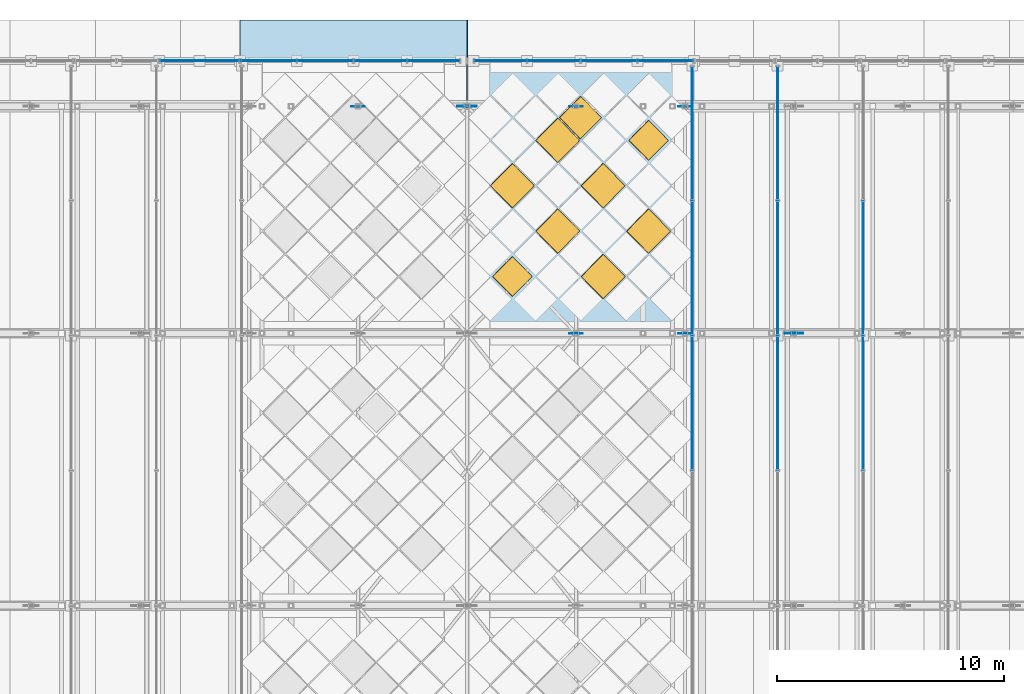
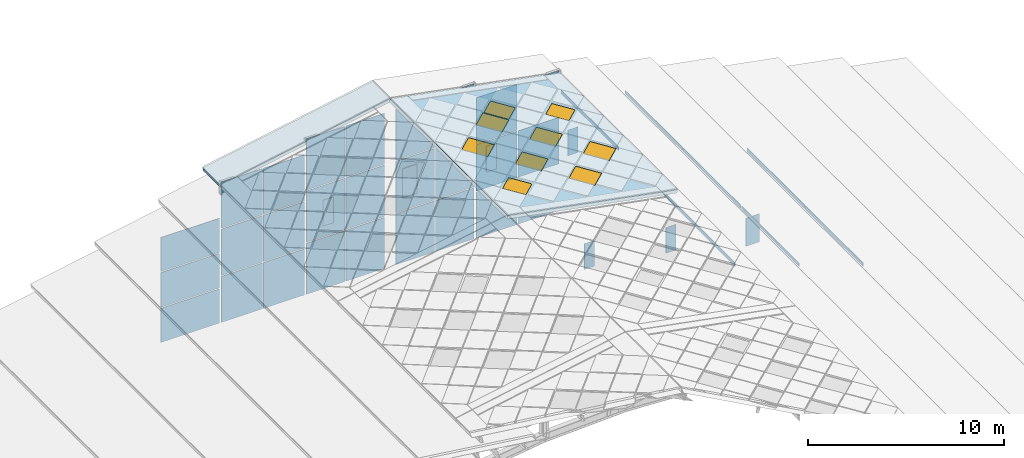
# One storey, part 98 of 117: 42 plates, 9 windows, 2 slabs, 9 openings, 8 elements without a shape of their own.
"""IFC4 building model written with IfcOpenShell, lengths in metres."""

from ifc_helpers import new_model, si_unit, direction, frame, origin, origin_2d, place, context, subcontext, project, spatial, polyline, rectangle, outline, extrude, material, layer, layer_set, type_object, element, fill, aggregate, save


model = new_model("IFC4")

# Units and contexts
model_context = context("Model", 3, precision=1e-05, world=origin(), true_north=direction((0.0, 1.0)))
body_context = subcontext(model_context, "Body", "Model", "MODEL_VIEW")
ifc_project = project(units=[si_unit("LENGTHUNIT", "METRE"), si_unit("AREAUNIT", "SQUARE_METRE"), si_unit("VOLUMEUNIT", "CUBIC_METRE"), si_unit("PLANEANGLEUNIT", "RADIAN"), si_unit("MASSUNIT", "GRAM", prefix="KILO")], contexts=[model_context])

# Site, building, storey
site_placement = place(None, origin())
site = spatial("IfcSite", under=ifc_project, at=site_placement, CompositionType="ELEMENT")
building_placement = place(site_placement, origin())
building = spatial("IfcBuilding", under=site, at=building_placement, Name="Merenkruunu Market Hall", CompositionType="ELEMENT")
storey_placement = place(building_placement, frame((0.0, 0.0, 22.800048828125)))
storey = spatial("IfcBuildingStorey", under=building, at=storey_placement, Name="RF", CompositionType="ELEMENT", Elevation=22.800048828125)

# Curtain wall, plates
ifc_material_1 = material(Name="Powder-coated aluminium", Category="aluminium")
curtain_wall_type_1 = type_object("IfcCurtainWallType", Name="Glazed Curtain Wall CW18", PredefinedType="USERDEFINED", material=ifc_material_1)
curtain_wall_1_placement = place(storey_placement, origin())
curtain_wall_1 = element("IfcCurtainWall", 1, at=curtain_wall_1_placement, inside=storey, type_object=curtain_wall_type_1, Name="CW-RF-CWM03-071", ObjectType="GLAZED_FACADE", PredefinedType="USERDEFINED")
ifc_material_2 = material(Name="Triple low-E insulated glass", Category="glass")
ifc_layer_1 = layer(ifc_material_2, 0.035888671875)
ifc_layer_set_1 = layer_set([ifc_layer_1], Name="Triple low-E insulated glass")
plate_type_1 = type_object("IfcPlateType", Name="Curtain Wall Glazing Panel CWP05", PredefinedType="CURTAIN_PANEL", material=ifc_layer_set_1)
plate_1_placement = place(storey_placement, frame((17.02001953125, 111.60009765625, -8.630126953125), z_axis=(0.0, 0.0, 1.0), x_axis=(1.0, 0.0, 0.0)))
plate_1 = element("IfcPlate", 2, at=plate_1_placement, type_object=plate_type_1, Name="CW18 panel 1.1", PredefinedType="CURTAIN_PANEL", context=body_context, shape_type="SweptSolid", body=[
    extrude(rectangle(XDim=3.43994140625, YDim=0.035888671875, at=origin_2d()), origin(), (0.0, 0.0, 1.0), 2.126953125),
])
plate_2_placement = place(storey_placement, frame((17.02001953125, 111.60009765625, -6.44287109375), z_axis=(0.0, 0.0, 1.0), x_axis=(1.0, 0.0, 0.0)))
plate_2 = element("IfcPlate", 3, at=plate_2_placement, type_object=plate_type_1, Name="CW18 panel 1.2", PredefinedType="CURTAIN_PANEL", context=body_context, shape_type="SweptSolid", body=[
    extrude(rectangle(XDim=3.43994140625, YDim=0.035888671875, at=origin_2d()), origin(), (0.0, 0.0, 1.0), 2.156005859375),
])
plate_3_placement = place(storey_placement, frame((17.02001953125, 111.60009765625, -4.22705078125), z_axis=(0.0, 0.0, 1.0), x_axis=(1.0, 0.0, 0.0)))
plate_3 = element("IfcPlate", 4, at=plate_3_placement, type_object=plate_type_1, Name="CW18 panel 1.3", PredefinedType="CURTAIN_PANEL", context=body_context, shape_type="SweptSolid", body=[
    extrude(rectangle(XDim=3.43994140625, YDim=0.035888671875, at=origin_2d()), origin(), (0.0, 0.0, 1.0), 2.126953125),
])
aggregate(curtain_wall_1, [plate_1, plate_2, plate_3])

curtain_wall_2_placement = place(storey_placement, origin())
curtain_wall_2 = element("IfcCurtainWall", 5, at=curtain_wall_2_placement, inside=storey, type_object=curtain_wall_type_1, Name="CW-RF-CWM03-072", ObjectType="GLAZED_FACADE", PredefinedType="USERDEFINED")
plate_4_placement = place(storey_placement, frame((20.06494140625, 111.60009765625, -8.630126953125), z_axis=(0.0, 0.0, 1.0), x_axis=(1.0, 0.0, 0.0)))
plate_4 = element("IfcPlate", 6, at=plate_4_placement, type_object=plate_type_1, Name="CW18 panel 1.1", PredefinedType="CURTAIN_PANEL", context=body_context, shape_type="SweptSolid", body=[
    extrude(rectangle(XDim=2.409912109375, YDim=0.035888671875, at=origin_2d()), origin(), (0.0, 0.0, 1.0), 2.85693359375),
])
plate_5_placement = place(storey_placement, frame((20.06494140625, 111.60009765625, -5.712890625), z_axis=(0.0, 0.0, 1.0), x_axis=(1.0, 0.0, 0.0)))
plate_5 = element("IfcPlate", 7, at=plate_5_placement, type_object=plate_type_1, Name="CW18 panel 1.2", PredefinedType="CURTAIN_PANEL", context=body_context, shape_type="SweptSolid", body=[
    extrude(rectangle(XDim=2.409912109375, YDim=0.035888671875, at=origin_2d()), origin(), (0.0, 0.0, 1.0), 2.885986328125),
])
plate_6_placement = place(storey_placement, frame((20.06494140625, 111.60009765625, -2.76708984375), z_axis=(0.0, 0.0, 1.0), x_axis=(1.0, 0.0, 0.0)))
plate_6 = element("IfcPlate", 8, at=plate_6_placement, type_object=plate_type_1, Name="CW18 panel 1.3", PredefinedType="CURTAIN_PANEL", context=body_context, shape_type="SweptSolid", body=[
    extrude(rectangle(XDim=2.409912109375, YDim=0.035888671875, at=origin_2d()), origin(), (0.0, 0.0, 1.0), 2.85693359375),
])
plate_7_placement = place(storey_placement, frame((22.534912109375, 111.60009765625, -8.630126953125), z_axis=(0.0, 0.0, 1.0), x_axis=(1.0, 0.0, 0.0)))
plate_7 = element("IfcPlate", 9, at=plate_7_placement, type_object=plate_type_1, Name="CW18 panel 2.1", PredefinedType="CURTAIN_PANEL", context=body_context, shape_type="SweptSolid", body=[
    extrude(rectangle(XDim=2.409912109375, YDim=0.035888671875, at=origin_2d()), origin(), (0.0, 0.0, 1.0), 2.85693359375),
])
plate_8_placement = place(storey_placement, frame((22.534912109375, 111.60009765625, -5.712890625), z_axis=(0.0, 0.0, 1.0), x_axis=(1.0, 0.0, 0.0)))
plate_8 = element("IfcPlate", 10, at=plate_8_placement, type_object=plate_type_1, Name="CW18 panel 2.2", PredefinedType="CURTAIN_PANEL", context=body_context, shape_type="SweptSolid", body=[
    extrude(rectangle(XDim=2.409912109375, YDim=0.035888671875, at=origin_2d()), origin(), (0.0, 0.0, 1.0), 2.885986328125),
])
plate_9_placement = place(storey_placement, frame((22.534912109375, 111.60009765625, -2.76708984375), z_axis=(0.0, 0.0, 1.0), x_axis=(1.0, 0.0, 0.0)))
plate_9 = element("IfcPlate", 11, at=plate_9_placement, type_object=plate_type_1, Name="CW18 panel 2.3", PredefinedType="CURTAIN_PANEL", context=body_context, shape_type="SweptSolid", body=[
    extrude(rectangle(XDim=2.409912109375, YDim=0.035888671875, at=origin_2d()), origin(), (0.0, 0.0, 1.0), 2.85693359375),
])
aggregate(curtain_wall_2, [plate_4, plate_5, plate_6, plate_7, plate_8, plate_9])

curtain_wall_3_placement = place(storey_placement, origin())
curtain_wall_3 = element("IfcCurtainWall", 12, at=curtain_wall_3_placement, inside=storey, type_object=curtain_wall_type_1, Name="CW-RF-CWM03-073", ObjectType="GLAZED_FACADE", PredefinedType="USERDEFINED")
plate_10_placement = place(storey_placement, frame((24.9951171875, 111.60009765625, -8.630126953125), z_axis=(0.0, 0.0, 1.0), x_axis=(1.0, 0.0, 0.0)))
plate_10 = element("IfcPlate", 13, at=plate_10_placement, type_object=plate_type_1, Name="CW18 panel 1.1", PredefinedType="CURTAIN_PANEL", context=body_context, shape_type="SweptSolid", body=[
    extrude(rectangle(XDim=2.27001953125, YDim=0.035888671875, at=origin_2d()), origin(), (0.0, 0.0, 1.0), 3.1669921875),
])
plate_11_placement = place(storey_placement, frame((24.9951171875, 111.60009765625, -5.40283203125), z_axis=(0.0, 0.0, 1.0), x_axis=(1.0, 0.0, 0.0)))
plate_11 = element("IfcPlate", 14, at=plate_11_placement, type_object=plate_type_1, Name="CW18 panel 1.2", PredefinedType="CURTAIN_PANEL", context=body_context, shape_type="SweptSolid", body=[
    extrude(rectangle(XDim=2.27001953125, YDim=0.035888671875, at=origin_2d()), origin(), (0.0, 0.0, 1.0), 3.196044921875),
])
plate_12_placement = place(storey_placement, frame((24.9951171875, 111.60009765625, -2.14697265625), z_axis=(0.0, 0.0, 1.0), x_axis=(1.0, 0.0, 0.0)))
plate_12 = element("IfcPlate", 15, at=plate_12_placement, type_object=plate_type_1, Name="CW18 panel 1.3", PredefinedType="CURTAIN_PANEL", context=body_context, shape_type="SweptSolid", body=[
    extrude(rectangle(XDim=2.27001953125, YDim=0.035888671875, at=origin_2d()), origin(), (0.0, 0.0, 1.0), 3.1669921875),
])
plate_13_placement = place(storey_placement, frame((27.324951171875, 111.60009765625, -8.630126953125), z_axis=(0.0, 0.0, 1.0), x_axis=(1.0, 0.0, 0.0)))
plate_13 = element("IfcPlate", 16, at=plate_13_placement, type_object=plate_type_1, Name="CW18 panel 2.1", PredefinedType="CURTAIN_PANEL", context=body_context, shape_type="SweptSolid", body=[
    extrude(rectangle(XDim=2.27001953125, YDim=0.035888671875, at=origin_2d()), origin(), (0.0, 0.0, 1.0), 3.1669921875),
])
plate_14_placement = place(storey_placement, frame((27.324951171875, 111.60009765625, -5.40283203125), z_axis=(0.0, 0.0, 1.0), x_axis=(1.0, 0.0, 0.0)))
plate_14 = element("IfcPlate", 17, at=plate_14_placement, type_object=plate_type_1, Name="CW18 panel 2.2", PredefinedType="CURTAIN_PANEL", context=body_context, shape_type="SweptSolid", body=[
    extrude(rectangle(XDim=2.27001953125, YDim=0.035888671875, at=origin_2d()), origin(), (0.0, 0.0, 1.0), 3.196044921875),
])
plate_15_placement = place(storey_placement, frame((27.324951171875, 111.60009765625, -2.14697265625), z_axis=(0.0, 0.0, 1.0), x_axis=(1.0, 0.0, 0.0)))
plate_15 = element("IfcPlate", 18, at=plate_15_placement, type_object=plate_type_1, Name="CW18 panel 2.3", PredefinedType="CURTAIN_PANEL", context=body_context, shape_type="SweptSolid", body=[
    extrude(rectangle(XDim=2.27001953125, YDim=0.035888671875, at=origin_2d()), origin(), (0.0, 0.0, 1.0), 3.1669921875),
])
aggregate(curtain_wall_3, [plate_10, plate_11, plate_12, plate_13, plate_14, plate_15])

curtain_wall_4_placement = place(storey_placement, origin())
curtain_wall_4 = element("IfcCurtainWall", 19, at=curtain_wall_4_placement, inside=storey, type_object=curtain_wall_type_1, Name="CW-RF-CWM03-074", ObjectType="GLAZED_FACADE", PredefinedType="USERDEFINED")
plate_16_placement = place(storey_placement, frame((30.27490234375, 111.60009765625, -8.630126953125), z_axis=(0.0, 0.0, 1.0), x_axis=(1.0, 0.0, 0.0)))
plate_16 = element("IfcPlate", 20, at=plate_16_placement, type_object=plate_type_1, Name="CW18 panel 1.1", PredefinedType="CURTAIN_PANEL", context=body_context, shape_type="SweptSolid", body=[
    extrude(rectangle(XDim=2.27001953125, YDim=0.035888671875, at=origin_2d()), origin(), (0.0, 0.0, 1.0), 3.1669921875),
])
plate_17_placement = place(storey_placement, frame((30.27490234375, 111.60009765625, -5.40283203125), z_axis=(0.0, 0.0, 1.0), x_axis=(1.0, 0.0, 0.0)))
plate_17 = element("IfcPlate", 21, at=plate_17_placement, type_object=plate_type_1, Name="CW18 panel 1.2", PredefinedType="CURTAIN_PANEL", context=body_context, shape_type="SweptSolid", body=[
    extrude(rectangle(XDim=2.27001953125, YDim=0.035888671875, at=origin_2d()), origin(), (0.0, 0.0, 1.0), 3.196044921875),
])
plate_18_placement = place(storey_placement, frame((30.27490234375, 111.60009765625, -2.14697265625), z_axis=(0.0, 0.0, 1.0), x_axis=(1.0, 0.0, 0.0)))
plate_18 = element("IfcPlate", 22, at=plate_18_placement, type_object=plate_type_1, Name="CW18 panel 1.3", PredefinedType="CURTAIN_PANEL", context=body_context, shape_type="SweptSolid", body=[
    extrude(rectangle(XDim=2.27001953125, YDim=0.035888671875, at=origin_2d()), origin(), (0.0, 0.0, 1.0), 3.1669921875),
])
plate_19_placement = place(storey_placement, frame((32.60498046875, 111.60009765625, -8.630126953125), z_axis=(0.0, 0.0, 1.0), x_axis=(1.0, 0.0, 0.0)))
plate_19 = element("IfcPlate", 23, at=plate_19_placement, type_object=plate_type_1, Name="CW18 panel 2.1", PredefinedType="CURTAIN_PANEL", context=body_context, shape_type="SweptSolid", body=[
    extrude(rectangle(XDim=2.27001953125, YDim=0.035888671875, at=origin_2d()), origin(), (0.0, 0.0, 1.0), 3.1669921875),
])
plate_20_placement = place(storey_placement, frame((32.60498046875, 111.60009765625, -5.40283203125), z_axis=(0.0, 0.0, 1.0), x_axis=(1.0, 0.0, 0.0)))
plate_20 = element("IfcPlate", 24, at=plate_20_placement, type_object=plate_type_1, Name="CW18 panel 2.2", PredefinedType="CURTAIN_PANEL", context=body_context, shape_type="SweptSolid", body=[
    extrude(rectangle(XDim=2.27001953125, YDim=0.035888671875, at=origin_2d()), origin(), (0.0, 0.0, 1.0), 3.196044921875),
])
plate_21_placement = place(storey_placement, frame((32.60498046875, 111.60009765625, -2.14697265625), z_axis=(0.0, 0.0, 1.0), x_axis=(1.0, 0.0, 0.0)))
plate_21 = element("IfcPlate", 25, at=plate_21_placement, type_object=plate_type_1, Name="CW18 panel 2.3", PredefinedType="CURTAIN_PANEL", context=body_context, shape_type="SweptSolid", body=[
    extrude(rectangle(XDim=2.27001953125, YDim=0.035888671875, at=origin_2d()), origin(), (0.0, 0.0, 1.0), 3.1669921875),
])
aggregate(curtain_wall_4, [plate_16, plate_17, plate_18, plate_19, plate_20, plate_21])

curtain_wall_5_placement = place(storey_placement, origin())
curtain_wall_5 = element("IfcCurtainWall", 26, at=curtain_wall_5_placement, inside=storey, type_object=curtain_wall_type_1, Name="CW-RF-CWM03-075", ObjectType="GLAZED_FACADE", PredefinedType="USERDEFINED")
plate_22_placement = place(storey_placement, frame((35.06494140625, 111.60009765625, -8.630126953125), z_axis=(0.0, 0.0, 1.0), x_axis=(1.0, 0.0, 0.0)))
plate_22 = element("IfcPlate", 27, at=plate_22_placement, type_object=plate_type_1, Name="CW18 panel 1.1", PredefinedType="CURTAIN_PANEL", context=body_context, shape_type="SweptSolid", body=[
    extrude(rectangle(XDim=2.409912109375, YDim=0.035888671875, at=origin_2d()), origin(), (0.0, 0.0, 1.0), 2.85693359375),
])
plate_23_placement = place(storey_placement, frame((35.06494140625, 111.60009765625, -5.712890625), z_axis=(0.0, 0.0, 1.0), x_axis=(1.0, 0.0, 0.0)))
plate_23 = element("IfcPlate", 28, at=plate_23_placement, type_object=plate_type_1, Name="CW18 panel 1.2", PredefinedType="CURTAIN_PANEL", context=body_context, shape_type="SweptSolid", body=[
    extrude(rectangle(XDim=2.409912109375, YDim=0.035888671875, at=origin_2d()), origin(), (0.0, 0.0, 1.0), 2.885986328125),
])
plate_24_placement = place(storey_placement, frame((35.06494140625, 111.60009765625, -2.76708984375), z_axis=(0.0, 0.0, 1.0), x_axis=(1.0, 0.0, 0.0)))
plate_24 = element("IfcPlate", 29, at=plate_24_placement, type_object=plate_type_1, Name="CW18 panel 1.3", PredefinedType="CURTAIN_PANEL", context=body_context, shape_type="SweptSolid", body=[
    extrude(rectangle(XDim=2.409912109375, YDim=0.035888671875, at=origin_2d()), origin(), (0.0, 0.0, 1.0), 2.85693359375),
])
plate_25_placement = place(storey_placement, frame((37.534912109375, 111.60009765625, -8.630126953125), z_axis=(0.0, 0.0, 1.0), x_axis=(1.0, 0.0, 0.0)))
plate_25 = element("IfcPlate", 30, at=plate_25_placement, type_object=plate_type_1, Name="CW18 panel 2.1", PredefinedType="CURTAIN_PANEL", context=body_context, shape_type="SweptSolid", body=[
    extrude(rectangle(XDim=2.409912109375, YDim=0.035888671875, at=origin_2d()), origin(), (0.0, 0.0, 1.0), 2.85693359375),
])
plate_26_placement = place(storey_placement, frame((37.534912109375, 111.60009765625, -5.712890625), z_axis=(0.0, 0.0, 1.0), x_axis=(1.0, 0.0, 0.0)))
plate_26 = element("IfcPlate", 31, at=plate_26_placement, type_object=plate_type_1, Name="CW18 panel 2.2", PredefinedType="CURTAIN_PANEL", context=body_context, shape_type="SweptSolid", body=[
    extrude(rectangle(XDim=2.409912109375, YDim=0.035888671875, at=origin_2d()), origin(), (0.0, 0.0, 1.0), 2.885986328125),
])
plate_27_placement = place(storey_placement, frame((37.534912109375, 111.60009765625, -2.76708984375), z_axis=(0.0, 0.0, 1.0), x_axis=(1.0, 0.0, 0.0)))
plate_27 = element("IfcPlate", 32, at=plate_27_placement, type_object=plate_type_1, Name="CW18 panel 2.3", PredefinedType="CURTAIN_PANEL", context=body_context, shape_type="SweptSolid", body=[
    extrude(rectangle(XDim=2.409912109375, YDim=0.035888671875, at=origin_2d()), origin(), (0.0, 0.0, 1.0), 2.85693359375),
])
aggregate(curtain_wall_5, [plate_22, plate_23, plate_24, plate_25, plate_26, plate_27])

curtain_wall_type_2 = type_object("IfcCurtainWallType", Name="Clerestory Curtain Band CL05", PredefinedType="USERDEFINED", material=ifc_material_1)
curtain_wall_6_placement = place(storey_placement, origin())
curtain_wall_6 = element("IfcCurtainWall", 33, at=curtain_wall_6_placement, inside=storey, type_object=curtain_wall_type_2, Name="CW-RF-CWM04-104", ObjectType="CLERESTORY_BAND", PredefinedType="USERDEFINED")
ifc_layer_2 = layer(ifc_material_2, 0.035888671875)
ifc_layer_set_2 = layer_set([ifc_layer_2], Name="Triple low-E insulated glass")
plate_type_2 = type_object("IfcPlateType", Name="Curtain Wall Glazing Panel CWP08", PredefinedType="CURTAIN_PANEL", material=ifc_layer_set_2)
plate_28_placement = place(storey_placement, frame((46.239990234375, 102.47509765625, -3.822021484375), z_axis=(0.0, 0.0, 1.0), x_axis=(0.0, -1.0, 0.0)))
plate_28 = element("IfcPlate", 34, at=plate_28_placement, type_object=plate_type_2, Name="CL05 panel 2.1", PredefinedType="CURTAIN_PANEL", context=body_context, shape_type="SweptSolid", body=[
    extrude(rectangle(XDim=5.8798828125, YDim=0.035888671875, at=origin_2d()), origin(), (0.0, 0.0, 1.0), 0.22802734375),
])
plate_29_placement = place(storey_placement, frame((46.239990234375, 96.52490234375, -3.822021484375), z_axis=(0.0, 0.0, 1.0), x_axis=(0.0, -1.0, 0.0)))
plate_29 = element("IfcPlate", 35, at=plate_29_placement, type_object=plate_type_2, Name="CL05 panel 3.1", PredefinedType="CURTAIN_PANEL", context=body_context, shape_type="SweptSolid", body=[
    extrude(rectangle(XDim=5.8798828125, YDim=0.035888671875, at=origin_2d()), origin(), (0.0, 0.0, 1.0), 0.22802734375),
])
aggregate(curtain_wall_6, [plate_28, plate_29])

curtain_wall_7_placement = place(storey_placement, origin())
curtain_wall_7 = element("IfcCurtainWall", 36, at=curtain_wall_7_placement, inside=storey, type_object=curtain_wall_type_2, Name="CW-RF-CWM04-112", ObjectType="CLERESTORY_BAND", PredefinedType="USERDEFINED")
plate_30_placement = place(storey_placement, frame((42.47998046875, 108.407470703125, -2.501953125), z_axis=(0.0, 0.0, 1.0), x_axis=(0.0, -1.0, 0.0)))
plate_30 = element("IfcPlate", 37, at=plate_30_placement, type_object=plate_type_2, Name="CL05 panel 1.1", PredefinedType="CURTAIN_PANEL", context=body_context, shape_type="SweptSolid", body=[
    extrude(rectangle(XDim=5.844970703125, YDim=0.035888671875, at=origin_2d()), origin(), (0.0, 0.0, 1.0), 0.20703125),
])
plate_31_placement = place(storey_placement, frame((42.47998046875, 102.47509765625, -2.501953125), z_axis=(0.0, 0.0, 1.0), x_axis=(0.0, -1.0, 0.0)))
plate_31 = element("IfcPlate", 38, at=plate_31_placement, type_object=plate_type_2, Name="CL05 panel 2.1", PredefinedType="CURTAIN_PANEL", context=body_context, shape_type="SweptSolid", body=[
    extrude(rectangle(XDim=5.8798828125, YDim=0.035888671875, at=origin_2d()), origin(), (0.0, 0.0, 1.0), 0.20703125),
])
plate_32_placement = place(storey_placement, frame((42.47998046875, 96.52490234375, -2.501953125), z_axis=(0.0, 0.0, 1.0), x_axis=(0.0, -1.0, 0.0)))
plate_32 = element("IfcPlate", 39, at=plate_32_placement, type_object=plate_type_2, Name="CL05 panel 3.1", PredefinedType="CURTAIN_PANEL", context=body_context, shape_type="SweptSolid", body=[
    extrude(rectangle(XDim=5.8798828125, YDim=0.035888671875, at=origin_2d()), origin(), (0.0, 0.0, 1.0), 0.20703125),
])
aggregate(curtain_wall_7, [plate_30, plate_31, plate_32])

curtain_wall_8_placement = place(storey_placement, origin())
curtain_wall_8 = element("IfcCurtainWall", 40, at=curtain_wall_8_placement, inside=storey, type_object=curtain_wall_type_2, Name="CW-RF-CWM04-120", ObjectType="CLERESTORY_BAND", PredefinedType="USERDEFINED")
plate_33_placement = place(storey_placement, frame((38.719970703125, 108.407470703125, -1.18212890625), z_axis=(0.0, 0.0, 1.0), x_axis=(0.0, -1.0, 0.0)))
plate_33 = element("IfcPlate", 41, at=plate_33_placement, type_object=plate_type_2, Name="CL05 panel 1.1", PredefinedType="CURTAIN_PANEL", context=body_context, shape_type="SweptSolid", body=[
    extrude(rectangle(XDim=5.844970703125, YDim=0.035888671875, at=origin_2d()), origin(), (0.0, 0.0, 1.0), 0.22802734375),
])
plate_34_placement = place(storey_placement, frame((38.719970703125, 102.47509765625, -1.18212890625), z_axis=(0.0, 0.0, 1.0), x_axis=(0.0, -1.0, 0.0)))
plate_34 = element("IfcPlate", 42, at=plate_34_placement, type_object=plate_type_2, Name="CL05 panel 2.1", PredefinedType="CURTAIN_PANEL", context=body_context, shape_type="SweptSolid", body=[
    extrude(rectangle(XDim=5.8798828125, YDim=0.035888671875, at=origin_2d()), origin(), (0.0, 0.0, 1.0), 0.22802734375),
])
plate_35_placement = place(storey_placement, frame((38.719970703125, 96.52490234375, -1.18212890625), z_axis=(0.0, 0.0, 1.0), x_axis=(0.0, -1.0, 0.0)))
plate_35 = element("IfcPlate", 43, at=plate_35_placement, type_object=plate_type_2, Name="CL05 panel 3.1", PredefinedType="CURTAIN_PANEL", context=body_context, shape_type="SweptSolid", body=[
    extrude(rectangle(XDim=5.8798828125, YDim=0.035888671875, at=origin_2d()), origin(), (0.0, 0.0, 1.0), 0.22802734375),
])
aggregate(curtain_wall_8, [plate_33, plate_34, plate_35])

# Slab, openings, windows
ifc_material_3 = material(Name="High-albedo white roof Steel S355ML", Category="steel")
ifc_layer_3 = layer(ifc_material_3, 0.199951171875)
ifc_layer_set_3 = layer_set([ifc_layer_3], Name="High-albedo white roof Steel S355ML")
slab_type = type_object("IfcSlabType", Name="Sloped Or Flat Roof Deck RS01", PredefinedType="ROOF", material=ifc_layer_set_3)
slab_1_placement = place(storey_placement, frame((28.800048828125, 99.60009765625, 1.800048828125), z_axis=(0.184775267092, 0.0, 0.98278079991), x_axis=(0.98278079991, 0.0, -0.184775267092)))
slab_1 = element("IfcSlab", 44, at=slab_1_placement, inside=storey, type_object=slab_type, Name="SL-ROOF-V1-CROWN-E-08", PredefinedType="ROOF", context=body_context, shape_type="SweptSolid", body=[
    extrude(outline(polyline([(0.0, 0.0), (10.175208959027184, 0.0), (10.175208959027184, 12.0), (0.0, 12.0), (0.0, 0.0)])), origin(), (0.0, 0.0, -1.0), 0.199951171875),
])
opening_1_placement = place(slab_1_placement, frame((2.034912109375, 2.5, 0.0), z_axis=(0.0, 0.0, 1.0), x_axis=(0.707106781187, 0.707106781187, 0.0)))
opening_1 = element("IfcOpeningElement", 45, at=opening_1_placement, cuts=slab_1, Name="Opening SK03", PredefinedType="OPENING", context=body_context, shape_type="SweptSolid", body=[
    extrude(rectangle(XDim=1.239990234375, YDim=1.239990234375, at=origin_2d()), frame((0.0, 0.0, 0.014892578125), z_axis=(0.0, 0.0, -1.0), x_axis=(1.0, 0.0, 0.0)), (0.0, 0.0, 1.0), 0.229736328125),
])
opening_2_placement = place(slab_1_placement, frame((2.034912109375, 6.5, 0.0), z_axis=(0.0, 0.0, 1.0), x_axis=(0.707106781187, 0.707106781187, 0.0)))
opening_2 = element("IfcOpeningElement", 46, at=opening_2_placement, cuts=slab_1, Name="Opening SK01", PredefinedType="OPENING", context=body_context, shape_type="SweptSolid", body=[
    extrude(rectangle(XDim=1.3798828125, YDim=1.3798828125, at=origin_2d()), frame((0.0, 0.0, 0.014892578125), z_axis=(0.0, 0.0, -1.0), x_axis=(1.0, 0.0, 0.0)), (0.0, 0.0, 1.0), 0.229736328125),
])
opening_3_placement = place(slab_1_placement, frame((4.070068359375, 4.5, -0.000244140625), z_axis=(0.0, 0.0, 1.0), x_axis=(0.707106781187, 0.707106781187, 0.0)))
opening_3 = element("IfcOpeningElement", 47, at=opening_3_placement, cuts=slab_1, Name="Opening SK01", PredefinedType="OPENING", context=body_context, shape_type="SweptSolid", body=[
    extrude(rectangle(XDim=1.3798828125, YDim=1.3798828125, at=origin_2d()), frame((0.0, 0.0, 0.014892578125), z_axis=(0.0, 0.0, -1.0), x_axis=(1.0, 0.0, 0.0)), (0.0, 0.0, 1.0), 0.229736328125),
])
opening_4_placement = place(slab_1_placement, frame((4.070068359375, 8.5, -0.000244140625), z_axis=(0.0, 0.0, 1.0), x_axis=(0.707106781187, 0.707106781187, 0.0)))
opening_4 = element("IfcOpeningElement", 48, at=opening_4_placement, cuts=slab_1, Name="Opening SK01", PredefinedType="OPENING", context=body_context, shape_type="SweptSolid", body=[
    extrude(rectangle(XDim=1.3798828125, YDim=1.3798828125, at=origin_2d()), frame((0.0, 0.0, 0.014892578125), z_axis=(0.0, 0.0, -1.0), x_axis=(1.0, 0.0, 0.0)), (0.0, 0.0, 1.0), 0.229736328125),
])
opening_5_placement = place(slab_1_placement, frame((5.087646484375, 9.5, 0.0), z_axis=(0.0, 0.0, 1.0), x_axis=(0.707106781187, 0.707106781187, 0.0)))
opening_5 = element("IfcOpeningElement", 49, at=opening_5_placement, cuts=slab_1, Name="Opening SK02", PredefinedType="OPENING", context=body_context, shape_type="SweptSolid", body=[
    extrude(rectangle(XDim=1.320068359375, YDim=1.320068359375, at=origin_2d()), frame((0.0, 0.0, 0.014892578125), z_axis=(0.0, 0.0, -1.0), x_axis=(1.0, 0.0, 0.0)), (0.0, 0.0, 1.0), 0.229736328125),
])
opening_6_placement = place(slab_1_placement, frame((6.105224609375, 2.5, 0.0), z_axis=(0.0, 0.0, 1.0), x_axis=(0.707106781187, 0.707106781187, 0.0)))
opening_6 = element("IfcOpeningElement", 50, at=opening_6_placement, cuts=slab_1, Name="Opening SK01", PredefinedType="OPENING", context=body_context, shape_type="SweptSolid", body=[
    extrude(rectangle(XDim=1.3798828125, YDim=1.3798828125, at=origin_2d()), frame((0.0, 0.0, 0.014892578125), z_axis=(0.0, 0.0, -1.0), x_axis=(1.0, 0.0, 0.0)), (0.0, 0.0, 1.0), 0.229736328125),
])
opening_7_placement = place(slab_1_placement, frame((6.105224609375, 6.5, 0.0), z_axis=(0.0, 0.0, 1.0), x_axis=(0.707106781187, 0.707106781187, 0.0)))
opening_7 = element("IfcOpeningElement", 51, at=opening_7_placement, cuts=slab_1, Name="Opening SK01", PredefinedType="OPENING", context=body_context, shape_type="SweptSolid", body=[
    extrude(rectangle(XDim=1.3798828125, YDim=1.3798828125, at=origin_2d()), frame((0.0, 0.0, 0.014892578125), z_axis=(0.0, 0.0, -1.0), x_axis=(1.0, 0.0, 0.0)), (0.0, 0.0, 1.0), 0.229736328125),
])
opening_8_placement = place(slab_1_placement, frame((8.14013671875, 4.5, 0.0), z_axis=(0.0, 0.0, 1.0), x_axis=(0.707106781187, 0.707106781187, 0.0)))
opening_8 = element("IfcOpeningElement", 52, at=opening_8_placement, cuts=slab_1, Name="Opening SK01", PredefinedType="OPENING", context=body_context, shape_type="SweptSolid", body=[
    extrude(rectangle(XDim=1.3798828125, YDim=1.3798828125, at=origin_2d()), frame((0.0, 0.0, 0.014892578125), z_axis=(0.0, 0.0, -1.0), x_axis=(1.0, 0.0, 0.0)), (0.0, 0.0, 1.0), 0.229736328125),
])
opening_9_placement = place(slab_1_placement, frame((8.14013671875, 8.5, 0.0), z_axis=(0.0, 0.0, 1.0), x_axis=(0.707106781187, 0.707106781187, 0.0)))
opening_9 = element("IfcOpeningElement", 53, at=opening_9_placement, cuts=slab_1, Name="Opening SK03", PredefinedType="OPENING", context=body_context, shape_type="SweptSolid", body=[
    extrude(rectangle(XDim=1.239990234375, YDim=1.239990234375, at=origin_2d()), frame((0.0, 0.0, 0.014892578125), z_axis=(0.0, 0.0, -1.0), x_axis=(1.0, 0.0, 0.0)), (0.0, 0.0, 1.0), 0.229736328125),
])
ifc_material_4 = material(Name="Diamond skylight blue triple glass", Category="glass")
ifc_layer_4 = layer(ifc_material_4, 0.094970703125)
ifc_layer_set_4 = layer_set([ifc_layer_4], Name="Diamond skylight blue triple glass")
window_type_1 = type_object("IfcWindowType", Name="Diamond Roof Skylight SK01", PartitioningType="SINGLE_PANEL", PredefinedType="SKYLIGHT", material=ifc_layer_set_4)
window_1_placement = place(opening_2_placement, origin())
window_1 = element("IfcWindow", 54, at=window_1_placement, inside=storey, type_object=window_type_1, Name="SKY-CROWN-137", OverallHeight=1.3798828125, OverallWidth=1.3798828125, PartitioningType="SINGLE_PANEL", PredefinedType="SKYLIGHT", context=body_context, shape_type="SweptSolid", body=[
    extrude(rectangle(XDim=1.3798828125, YDim=1.3798828125, at=origin_2d()), frame((0.0, 0.0, 0.0), z_axis=(0.0, 0.0, -1.0), x_axis=(1.0, 0.0, 0.0)), (0.0, 0.0, 1.0), 0.094970703125),
])
fill(opening_2, window_1)
window_2_placement = place(opening_3_placement, origin())
window_2 = element("IfcWindow", 55, at=window_2_placement, inside=storey, type_object=window_type_1, Name="SKY-CROWN-138", OverallHeight=1.3798828125, OverallWidth=1.3798828125, PartitioningType="SINGLE_PANEL", PredefinedType="SKYLIGHT", context=body_context, shape_type="SweptSolid", body=[
    extrude(rectangle(XDim=1.3798828125, YDim=1.3798828125, at=origin_2d()), frame((0.0, 0.0, 0.0), z_axis=(0.0, 0.0, -1.0), x_axis=(1.0, 0.0, 0.0)), (0.0, 0.0, 1.0), 0.094970703125),
])
fill(opening_3, window_2)
window_3_placement = place(opening_4_placement, origin())
window_3 = element("IfcWindow", 56, at=window_3_placement, inside=storey, type_object=window_type_1, Name="SKY-CROWN-139", OverallHeight=1.3798828125, OverallWidth=1.3798828125, PartitioningType="SINGLE_PANEL", PredefinedType="SKYLIGHT", context=body_context, shape_type="SweptSolid", body=[
    extrude(rectangle(XDim=1.3798828125, YDim=1.3798828125, at=origin_2d()), frame((0.0, 0.0, 0.0), z_axis=(0.0, 0.0, -1.0), x_axis=(1.0, 0.0, 0.0)), (0.0, 0.0, 1.0), 0.094970703125),
])
fill(opening_4, window_3)
window_4_placement = place(opening_6_placement, origin())
window_4 = element("IfcWindow", 57, at=window_4_placement, inside=storey, type_object=window_type_1, Name="SKY-CROWN-141", OverallHeight=1.3798828125, OverallWidth=1.3798828125, PartitioningType="SINGLE_PANEL", PredefinedType="SKYLIGHT", context=body_context, shape_type="SweptSolid", body=[
    extrude(rectangle(XDim=1.3798828125, YDim=1.3798828125, at=origin_2d()), frame((0.0, 0.0, 0.0), z_axis=(0.0, 0.0, -1.0), x_axis=(1.0, 0.0, 0.0)), (0.0, 0.0, 1.0), 0.094970703125),
])
fill(opening_6, window_4)
window_5_placement = place(opening_7_placement, origin())
window_5 = element("IfcWindow", 58, at=window_5_placement, inside=storey, type_object=window_type_1, Name="SKY-CROWN-142", OverallHeight=1.3798828125, OverallWidth=1.3798828125, PartitioningType="SINGLE_PANEL", PredefinedType="SKYLIGHT", context=body_context, shape_type="SweptSolid", body=[
    extrude(rectangle(XDim=1.3798828125, YDim=1.3798828125, at=origin_2d()), frame((0.0, 0.0, 0.0), z_axis=(0.0, 0.0, -1.0), x_axis=(1.0, 0.0, 0.0)), (0.0, 0.0, 1.0), 0.094970703125),
])
fill(opening_7, window_5)
window_6_placement = place(opening_8_placement, origin())
window_6 = element("IfcWindow", 59, at=window_6_placement, inside=storey, type_object=window_type_1, Name="SKY-CROWN-143", OverallHeight=1.3798828125, OverallWidth=1.3798828125, PartitioningType="SINGLE_PANEL", PredefinedType="SKYLIGHT", context=body_context, shape_type="SweptSolid", body=[
    extrude(rectangle(XDim=1.3798828125, YDim=1.3798828125, at=origin_2d()), frame((0.0, 0.0, 0.0), z_axis=(0.0, 0.0, -1.0), x_axis=(1.0, 0.0, 0.0)), (0.0, 0.0, 1.0), 0.094970703125),
])
fill(opening_8, window_6)
ifc_layer_5 = layer(ifc_material_4, 0.094970703125)
ifc_layer_set_5 = layer_set([ifc_layer_5], Name="Diamond skylight blue triple glass")
window_type_2 = type_object("IfcWindowType", Name="Diamond Roof Skylight SK02", PartitioningType="SINGLE_PANEL", PredefinedType="SKYLIGHT", material=ifc_layer_set_5)
window_7_placement = place(opening_5_placement, origin())
window_7 = element("IfcWindow", 60, at=window_7_placement, inside=storey, type_object=window_type_2, Name="SKY-CROWN-140", OverallHeight=1.320068359375, OverallWidth=1.320068359375, PartitioningType="SINGLE_PANEL", PredefinedType="SKYLIGHT", context=body_context, shape_type="SweptSolid", body=[
    extrude(rectangle(XDim=1.320068359375, YDim=1.320068359375, at=origin_2d()), frame((0.0, 0.0, 0.0), z_axis=(0.0, 0.0, -1.0), x_axis=(1.0, 0.0, 0.0)), (0.0, 0.0, 1.0), 0.094970703125),
])
fill(opening_5, window_7)
ifc_layer_6 = layer(ifc_material_4, 0.094970703125)
ifc_layer_set_6 = layer_set([ifc_layer_6], Name="Diamond skylight blue triple glass")
window_type_3 = type_object("IfcWindowType", Name="Roof Smoke Vent Skylight SK03", PartitioningType="SINGLE_PANEL", PredefinedType="SKYLIGHT", material=ifc_layer_set_6)
window_8_placement = place(opening_1_placement, origin())
window_8 = element("IfcWindow", 61, at=window_8_placement, inside=storey, type_object=window_type_3, Name="SKY-CROWN-136", OverallHeight=1.239990234375, OverallWidth=1.239990234375, PartitioningType="SINGLE_PANEL", PredefinedType="SKYLIGHT", context=body_context, shape_type="SweptSolid", body=[
    extrude(rectangle(XDim=1.239990234375, YDim=1.239990234375, at=origin_2d()), frame((0.0, 0.0, 0.0), z_axis=(0.0, 0.0, -1.0), x_axis=(1.0, 0.0, 0.0)), (0.0, 0.0, 1.0), 0.094970703125),
])
fill(opening_1, window_8)
window_9_placement = place(opening_9_placement, origin())
window_9 = element("IfcWindow", 62, at=window_9_placement, inside=storey, type_object=window_type_3, Name="SKY-CROWN-144", OverallHeight=1.239990234375, OverallWidth=1.239990234375, PartitioningType="SINGLE_PANEL", PredefinedType="SKYLIGHT", context=body_context, shape_type="SweptSolid", body=[
    extrude(rectangle(XDim=1.239990234375, YDim=1.239990234375, at=origin_2d()), frame((0.0, 0.0, 0.0), z_axis=(0.0, 0.0, -1.0), x_axis=(1.0, 0.0, 0.0)), (0.0, 0.0, 1.0), 0.094970703125),
])
fill(opening_9, window_9)

# Slab
slab_2_placement = place(storey_placement, frame((18.800048828125, 111.60009765625, -0.080078125), z_axis=(-0.184775267092, 0.0, 0.98278079991), x_axis=(0.98278079991, 0.0, 0.184775267092)))
element("IfcSlab", 63, at=slab_2_placement, inside=storey, type_object=slab_type, Name="SL-ROOF-V1-CROWNGAB-W-N", PredefinedType="ROOF", context=body_context, shape_type="SweptSolid", body=[
    extrude(outline(polyline([(0.0, 0.0), (10.175208959027184, 0.0), (10.175208959027184, 1.7998046875), (0.0, 1.7998046875), (0.0, 0.0)])), origin(), (0.0, 0.0, -1.0), 0.199951171875),
])

# Plates
ifc_material_5 = material(Name="Steel S355ML", Category="steel")
ifc_layer_7 = layer(ifc_material_5, 0.028076171875)
ifc_layer_set_7 = layer_set([ifc_layer_7], Name="Steel S355ML")
plate_type_3 = type_object("IfcPlateType", Name="Truss Gusset Or Cap Plate TN04", PredefinedType="USERDEFINED", material=ifc_layer_set_7)
plate_36_placement = place(storey_placement, frame((43.199951171875, 99.60009765625, -5.005126953125), z_axis=(0.0, 0.0, 1.0), x_axis=(1.0, 0.0, 0.0)))
element("IfcPlate", 64, at=plate_36_placement, inside=storey, type_object=plate_type_3, Name="PLT-AT-8-NODE-09", ObjectType="GUSSET_PLATE", PredefinedType="USERDEFINED", context=body_context, shape_type="SweptSolid", body=[
    extrude(rectangle(XDim=0.800048828125, YDim=0.028076171875, at=origin_2d()), origin(), (0.0, 0.0, 1.0), 1.75),
])
ifc_layer_8 = layer(ifc_material_5, 0.02197265625)
ifc_layer_set_8 = layer_set([ifc_layer_8], Name="Steel S355ML")
plate_type_4 = type_object("IfcPlateType", Name="Truss Gusset Or Cap Plate TN05", PredefinedType="USERDEFINED", material=ifc_layer_set_8)
for number, where, z_axis, x_axis, name in (
    (65, (33.60009765625, 99.60009765625, -3.1181640625), (0.0, 0.0, 1.0), (1.0, 0.0, 0.0), "PLT-AT-8-NODE-07"),
    (66, (38.39990234375, 99.60009765625, -3.7900390625), (0.0, 0.0, 1.0), (1.0, 0.0, 0.0), "PLT-AT-8-NODE-08"),
    (67, (24.0, 109.60009765625, -3.1181640625), (0.0, 0.0, 1.0), (1.0, 0.0, 0.0), "PLT-AT-G-NODE-05"),
    (68, (33.60009765625, 109.60009765625, -3.1181640625), (0.0, 0.0, 1.0), (1.0, 0.0, 0.0), "PLT-AT-G-NODE-07"),
    (69, (38.39990234375, 109.60009765625, -3.7900390625), (0.0, 0.0, 1.0), (1.0, 0.0, 0.0), "PLT-AT-G-NODE-08"),
):
    element("IfcPlate", number, at=place(storey_placement, frame(where, z_axis=z_axis, x_axis=x_axis)), inside=storey, type_object=plate_type_4, Name=name, ObjectType="GUSSET_PLATE", PredefinedType="USERDEFINED", context=body_context, shape_type="SweptSolid", body=[
        extrude(rectangle(XDim=0.60009765625, YDim=0.02197265625, at=origin_2d()), origin(), (0.0, 0.0, 1.0), 1.60009765625),
    ])
ifc_layer_9 = layer(ifc_material_5, 0.031982421875)
ifc_layer_set_9 = layer_set([ifc_layer_9], Name="Steel S355ML")
plate_type_5 = type_object("IfcPlateType", Name="Truss Gusset Or Cap Plate TN06", PredefinedType="USERDEFINED", material=ifc_layer_set_9)
plate_37_placement = place(storey_placement, frame((28.800048828125, 109.60009765625, -2.99609375), z_axis=(0.0, 0.0, 1.0), x_axis=(1.0, 0.0, 0.0)))
element("IfcPlate", 70, at=plate_37_placement, inside=storey, type_object=plate_type_5, Name="PLT-AT-G-NODE-06", ObjectType="GUSSET_PLATE", PredefinedType="USERDEFINED", context=body_context, shape_type="SweptSolid", body=[
    extrude(rectangle(XDim=0.85009765625, YDim=0.031982421875, at=origin_2d()), origin(), (0.0, 0.0, 1.0), 1.800048828125),
])

save(model, "model.ifc")
